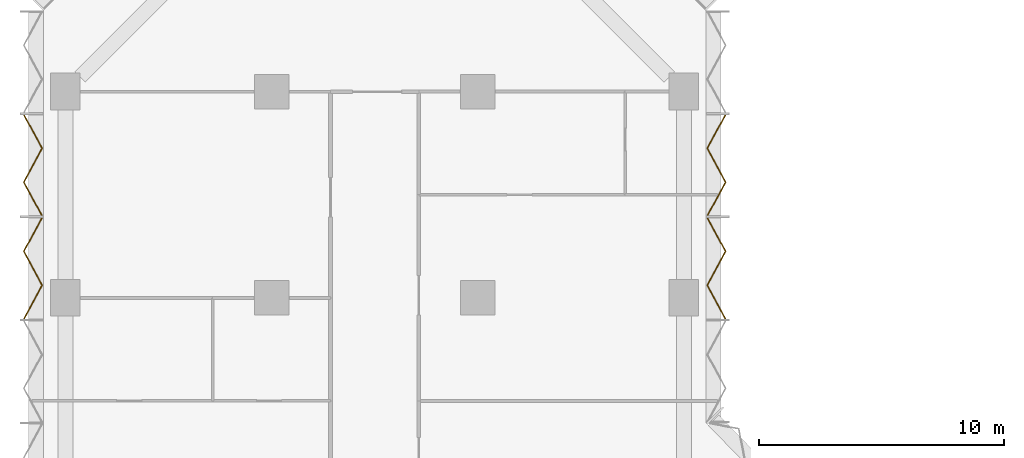
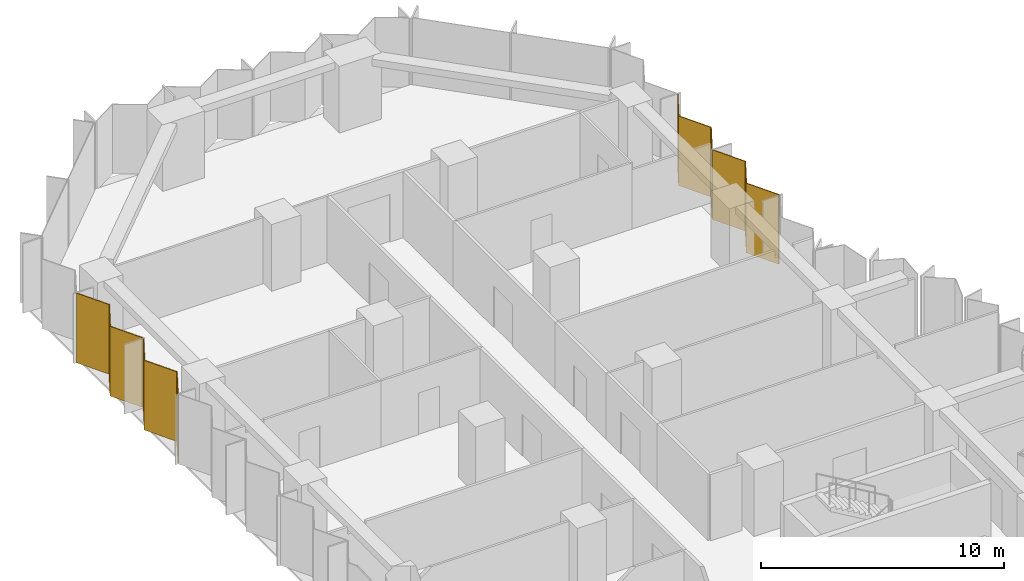
# One storey, part 15 of 15: 4 coverings, 2 elements without a shape of their own.
"""IFC4 building model written with IfcOpenShell, lengths in metres."""

import ifcopenshell
import ifcopenshell.guid

model = None  # the IFC model being written
_history = None  # IfcOwnerHistory: only IFC2X3 demands one
_inside = {}  # id of a spatial element -> (the spatial element, [elements in it])
_under = {}  # id of a project, library or spatial element -> (it, [spatial elements below it])
_declared = {}  # id of a project -> (the project, [libraries it declares])
_typed = {}  # id of a type object -> (the type object, [elements of that type])
_made_of = {}  # id of a material, layer set ... -> (it, [elements and type objects made of it])


def new_model(schema):
    """Start an empty IFC model of exactly this schema.

    Asked for "IFC4X3", IfcOpenShell would pick the latest addendum, in which some entities
    have other attributes; the version numbers below select the first issue.
    IFC2X3 requires an IfcOwnerHistory on every rooted entity: one is made here for all.
    """
    global model, _history
    if schema == "IFC4X3":
        model = ifcopenshell.file(schema_version=(4, 3, 0, 0))
    else:
        model = ifcopenshell.file(schema=schema)
    _inside.clear()
    _under.clear()
    _declared.clear()
    _typed.clear()
    _made_of.clear()
    _history = None
    if model.schema == "IFC2X3":
        org = make("IfcOrganization", Name="unknown")
        user = make(
            "IfcPersonAndOrganization",
            ThePerson=make("IfcPerson", FamilyName="unknown"),
            TheOrganization=org,
        )
        app = make(
            "IfcApplication",
            ApplicationDeveloper=org,
            Version="unknown",
            ApplicationFullName="unknown",
            ApplicationIdentifier="unknown",
        )
        _history = make(
            "IfcOwnerHistory",
            OwningUser=user,
            OwningApplication=app,
            ChangeAction="ADDED",
            CreationDate=0,
        )
    return model


def make(cls, **values):
    """One entity of the class cls with the attributes given. An attribute that is None is left unset."""
    return model.create_entity(
        cls, **{name: value for name, value in values.items() if value is not None}
    )


def rooted(cls, **values):
    """An entity with a GlobalId (a new one), such as an element, a storey or a relation."""
    return make(cls, GlobalId=ifcopenshell.guid.new(), OwnerHistory=_history, **values)


def si_unit(unit_type, name, prefix=None):
    """IfcSIUnit, for example si_unit("LENGTHUNIT", "METRE", prefix="MILLI")."""
    return make("IfcSIUnit", UnitType=unit_type, Prefix=prefix, Name=name)


def assignment(units):
    """IfcUnitAssignment: the units of a project."""
    return None if units is None else make("IfcUnitAssignment", Units=units)


def point(xyz):
    """IfcCartesianPoint."""
    return None if xyz is None else make("IfcCartesianPoint", Coordinates=xyz)


def direction(xyz):
    """IfcDirection."""
    return None if xyz is None else make("IfcDirection", DirectionRatios=xyz)


def frame(location, z_axis=None, x_axis=None):
    """IfcAxis2Placement3D, a coordinate frame: its origin and axes. An axis left out is left unset."""
    return make(
        "IfcAxis2Placement3D",
        Location=point(location),
        Axis=direction(z_axis),
        RefDirection=direction(x_axis),
    )


def origin():
    """The frame at (0, 0, 0) with its axes left unset."""
    return frame((0.0, 0.0, 0.0))


def place(relative_to, where):
    """IfcLocalPlacement: puts the frame where relative to a parent placement (None: the world)."""
    return make(
        "IfcLocalPlacement", PlacementRelTo=relative_to, RelativePlacement=where
    )


def context(
    kind, dimensions, precision=None, world=None, true_north=None, identifier=None
):
    """IfcGeometricRepresentationContext, for example the 3D "Model" context."""
    return make(
        "IfcGeometricRepresentationContext",
        ContextIdentifier=identifier,
        ContextType=kind,
        CoordinateSpaceDimension=dimensions,
        Precision=precision,
        WorldCoordinateSystem=world,
        TrueNorth=true_north,
    )


def subcontext(parent, identifier, kind, view, scale=None):
    """IfcGeometricRepresentationSubContext, for example "Body" below "Model"."""
    return make(
        "IfcGeometricRepresentationSubContext",
        ContextIdentifier=identifier,
        ContextType=kind,
        ParentContext=parent,
        TargetScale=scale,
        TargetView=view,
    )


def project(units=None, contexts=None):
    """IfcProject with its units and contexts."""
    return rooted(
        "IfcProject",
        Name="project",
        RepresentationContexts=contexts,
        UnitsInContext=assignment(units),
    )


def spatial(cls, under=None, at=None, **own):
    """A site, building, storey or space (cls), placed at a placement, below another one or the project."""
    s = rooted(cls, ObjectPlacement=at, **own)
    if under is not None:
        _under.setdefault(under.id(), (under, []))[1].append(s)
    return s


def polyline(points):
    """IfcPolyline through the points."""
    return make("IfcPolyline", Points=[point(p) for p in points])


def outline(outer, holes=None, kind="AREA"):
    """IfcArbitraryClosedProfileDef: a profile drawn as a closed curve; with holes, ...WithVoids."""
    if holes is None:
        return make("IfcArbitraryClosedProfileDef", ProfileType=kind, OuterCurve=outer)
    return make(
        "IfcArbitraryProfileDefWithVoids",
        ProfileType=kind,
        OuterCurve=outer,
        InnerCurves=holes,
    )


def extrude(swept, where, along, depth):
    """IfcExtrudedAreaSolid: the profile swept, set in the frame where, extruded along a direction by depth."""
    return make(
        "IfcExtrudedAreaSolid",
        SweptArea=swept,
        Position=where,
        ExtrudedDirection=direction(along),
        Depth=depth,
    )


def shape(context_of_items, identifier, shape_type, items):
    """IfcShapeRepresentation: the items that make up one representation, for example the "Body"."""
    return make(
        "IfcShapeRepresentation",
        ContextOfItems=context_of_items,
        RepresentationIdentifier=identifier,
        RepresentationType=shape_type,
        Items=items,
    )


def material(Name=None, Category=None):
    """IfcMaterial."""
    return make("IfcMaterial", Name=Name, Category=Category)


def layer(
    of_material, thickness, ventilated=None, Name=None, Category=None, Priority=None
):
    """IfcMaterialLayer: one layer of a wall or slab, of a material (None: an air gap)."""
    return make(
        "IfcMaterialLayer",
        Material=of_material,
        LayerThickness=thickness,
        IsVentilated=ventilated,
        Name=Name,
        Category=Category,
        Priority=Priority,
    )


def layer_set(layers, Name=None):
    """IfcMaterialLayerSet."""
    return make("IfcMaterialLayerSet", MaterialLayers=layers, LayerSetName=Name)


def made_of(thing, what):
    """Note that an element or type object is made of a material, layer set ...; save() writes the relation."""
    if what is not None:
        _made_of.setdefault(what.id(), (what, []))[1].append(thing)
    return thing


def type_object(cls, material=None, **own):
    """A type object (cls), such as IfcWallType, which elements share."""
    return made_of(rooted(cls, **own), material)


def element(
    cls,
    number,
    at=None,
    inside=None,
    cuts=None,
    type_object=None,
    material=None,
    context=None,
    identifier="Body",
    shape_type=None,
    held_by="IfcProductDefinitionShape",
    body=None,
    shapes=None,
    **own,
):
    """One element of the class cls, such as IfcWall. Its Tag is "e" and its number.

    at: its placement. inside: the storey or other place that contains it. cuts: it is an
    opening in that element (IfcRelVoidsElement). A single representation is given by context,
    identifier, shape_type and body (its items); several are given by shapes. held_by: the class
    of the entity that holds the representations. save() writes the other relations.
    """
    e = rooted(cls, Tag="e%d" % number, ObjectPlacement=at, **own)
    if body is not None:
        shapes = [shape(context, identifier, shape_type, body)]
    if shapes is not None:
        e.Representation = make(held_by, Representations=shapes)
    if inside is not None:
        _inside.setdefault(inside.id(), (inside, []))[1].append(e)
    if cuts is not None:
        rooted(
            "IfcRelVoidsElement", RelatingBuildingElement=cuts, RelatedOpeningElement=e
        )
    if type_object is not None:
        _typed.setdefault(type_object.id(), (type_object, []))[1].append(e)
    return made_of(e, material)


def aggregate(whole, parts):
    """IfcRelAggregates: a whole, such as a stair, and the parts it consists of."""
    return rooted("IfcRelAggregates", RelatingObject=whole, RelatedObjects=parts)


def save(model, path):
    """Write the relations noted so far, then the file.

    IfcRelAggregates (storeys below a building ...), IfcRelContainedInSpatialStructure (elements
    in a storey), IfcRelDefinesByType, IfcRelAssociatesMaterial and IfcRelDeclares: one each for
    every whole, place, type object, material and project.
    """
    for whole, parts in _under.values():
        aggregate(whole, parts)
    for where, things in _inside.values():
        rooted(
            "IfcRelContainedInSpatialStructure",
            RelatedElements=things,
            RelatingStructure=where,
        )
    for kind, things in _typed.values():
        rooted("IfcRelDefinesByType", RelatedObjects=things, RelatingType=kind)
    for what, things in _made_of.values():
        rooted("IfcRelAssociatesMaterial", RelatedObjects=things, RelatingMaterial=what)
    for by, libraries in _declared.values():
        rooted("IfcRelDeclares", RelatingContext=by, RelatedDefinitions=libraries)
    model.write(path)


model = new_model("IFC4")

# Units and contexts
model_context = context("Model", 3, precision=1e-05, world=origin(), true_north=direction((0.0, 1.0)))
body_context = subcontext(model_context, "Body", "Model", "MODEL_VIEW")
ifc_project = project(units=[si_unit("LENGTHUNIT", "METRE"), si_unit("AREAUNIT", "SQUARE_METRE"), si_unit("VOLUMEUNIT", "CUBIC_METRE"), si_unit("PLANEANGLEUNIT", "RADIAN"), si_unit("MASSUNIT", "GRAM", prefix="KILO")], contexts=[model_context])

# Site, building, storey
site_placement = place(None, origin())
site = spatial("IfcSite", under=ifc_project, at=site_placement, CompositionType="ELEMENT")
building_placement = place(site_placement, origin())
building = spatial("IfcBuilding", under=site, at=building_placement, Name="Brevane Broadcast Tower", CompositionType="ELEMENT")
storey_placement = place(building_placement, frame((0.0, 0.0, 54.5)))
storey = spatial("IfcBuildingStorey", under=building, at=storey_placement, Name="L11", CompositionType="ELEMENT", Elevation=54.5)

# Curtain wall, coverings
ifc_material_1 = material(Name="Aluminium 6063-T6 bronze anodised", Category="aluminium")
curtain_wall_type = type_object("IfcCurtainWallType", Name="CW-1 curtain wall", PredefinedType="NOTDEFINED", material=ifc_material_1)
curtain_wall_1_placement = place(storey_placement, origin())
curtain_wall_1 = element("IfcCurtainWall", 1, at=curtain_wall_1_placement, inside=storey, type_object=curtain_wall_type, Name="CW-1 typical tilted unit L11 north arm east face", PredefinedType="NOTDEFINED")
ifc_material_2 = material(Name="Back-painted bronze glass shadow-box", Category="glass")
ifc_layer = layer(ifc_material_2, 0.0400390625)
ifc_layer_set = layer_set([ifc_layer], Name="Shadow-box panel 40")
covering_type = type_object("IfcCoveringType", Name="Shadow-box panel 40", PredefinedType="CLADDING", material=ifc_layer_set)
covering_1_placement = place(storey_placement, frame((0.0, 0.0, -0.14990234375)))
covering_1 = element("IfcCovering", 2, at=covering_1_placement, type_object=covering_type, Name="Shadow-box panel", PredefinedType="CLADDING", context=body_context, shape_type="SweptSolid", body=[
    extrude(outline(polyline([(26.87158203125, 49.534912109375), (26.9169921875, 49.534912109375), (26.172607421875, 50.91162109375), (26.9169921875, 52.288330078125), (26.172607421875, 53.6650390625), (26.127197265625, 53.6650390625), (26.87158203125, 52.288330078125), (26.127197265625, 50.91162109375), (26.87158203125, 49.534912109375)])), origin(), (0.0, 0.0, 1.0), 3.5),
])
covering_2_placement = place(storey_placement, frame((0.0, 0.0, -0.14990234375)))
covering_2 = element("IfcCovering", 3, at=covering_2_placement, type_object=covering_type, Name="Shadow-box panel", PredefinedType="CLADDING", context=body_context, shape_type="SweptSolid", body=[
    extrude(outline(polyline([(26.127197265625, 53.735107421875), (26.172607421875, 53.735107421875), (26.9169921875, 55.11181640625), (26.172607421875, 56.48828125), (26.9169921875, 57.864990234375), (26.87158203125, 57.864990234375), (26.127197265625, 56.48828125), (26.87158203125, 55.11181640625), (26.127197265625, 53.735107421875)])), origin(), (0.0, 0.0, 1.0), 3.5),
])
aggregate(curtain_wall_1, [covering_1, covering_2])

curtain_wall_2_placement = place(storey_placement, origin())
curtain_wall_2 = element("IfcCurtainWall", 4, at=curtain_wall_2_placement, inside=storey, type_object=curtain_wall_type, Name="CW-1 typical tilted unit L11 west face", PredefinedType="NOTDEFINED")
covering_3_placement = place(storey_placement, frame((0.0, 0.0, -0.14990234375)))
covering_3 = element("IfcCovering", 5, at=covering_3_placement, type_object=covering_type, Name="Shadow-box panel", PredefinedType="CLADDING", context=body_context, shape_type="SweptSolid", body=[
    extrude(outline(polyline([(-1.671630859375, 57.864990234375), (-1.717041015625, 57.864990234375), (-0.97265625, 56.48828125), (-1.717041015625, 55.11181640625), (-0.97265625, 53.735107421875), (-0.92724609375, 53.735107421875), (-1.671630859375, 55.11181640625), (-0.92724609375, 56.48828125), (-1.671630859375, 57.864990234375)])), origin(), (0.0, 0.0, 1.0), 3.5),
])
covering_4_placement = place(storey_placement, frame((0.0, 0.0, -0.14990234375)))
covering_4 = element("IfcCovering", 6, at=covering_4_placement, type_object=covering_type, Name="Shadow-box panel", PredefinedType="CLADDING", context=body_context, shape_type="SweptSolid", body=[
    extrude(outline(polyline([(-0.92724609375, 53.6650390625), (-0.97265625, 53.6650390625), (-1.717041015625, 52.288330078125), (-0.97265625, 50.91162109375), (-1.717041015625, 49.534912109375), (-1.671630859375, 49.534912109375), (-0.92724609375, 50.91162109375), (-1.671630859375, 52.288330078125), (-0.92724609375, 53.6650390625)])), origin(), (0.0, 0.0, 1.0), 3.5),
])
aggregate(curtain_wall_2, [covering_3, covering_4])

save(model, "model.ifc")
